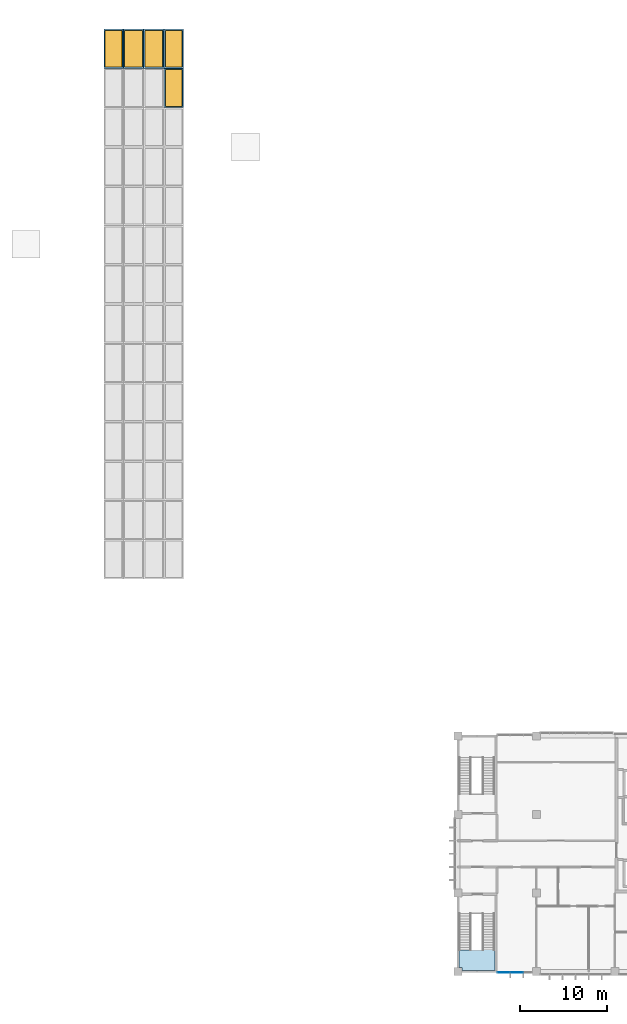
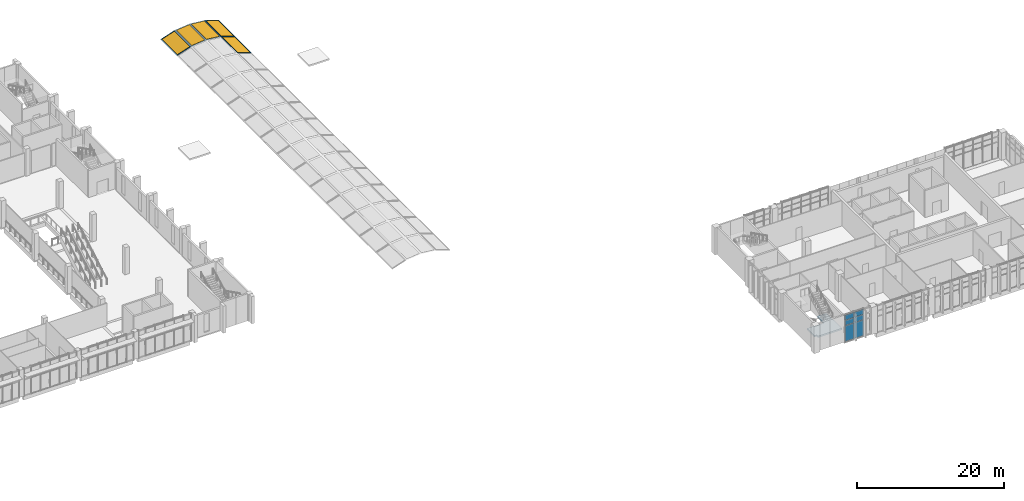
# One storey, part 22 of 45: 6 plates, 6 slabs, 5 windows, 5 openings, 2 elements without a shape of their own.
"""IFC4 building model written with IfcOpenShell, lengths in metres."""

import ifcopenshell
import ifcopenshell.guid

model = None  # the IFC model being written
_history = None  # IfcOwnerHistory: only IFC2X3 demands one
_inside = {}  # id of a spatial element -> (the spatial element, [elements in it])
_under = {}  # id of a project, library or spatial element -> (it, [spatial elements below it])
_declared = {}  # id of a project -> (the project, [libraries it declares])
_typed = {}  # id of a type object -> (the type object, [elements of that type])
_made_of = {}  # id of a material, layer set ... -> (it, [elements and type objects made of it])


def new_model(schema):
    """Start an empty IFC model of exactly this schema.

    Asked for "IFC4X3", IfcOpenShell would pick the latest addendum, in which some entities
    have other attributes; the version numbers below select the first issue.
    IFC2X3 requires an IfcOwnerHistory on every rooted entity: one is made here for all.
    """
    global model, _history
    if schema == "IFC4X3":
        model = ifcopenshell.file(schema_version=(4, 3, 0, 0))
    else:
        model = ifcopenshell.file(schema=schema)
    _inside.clear()
    _under.clear()
    _declared.clear()
    _typed.clear()
    _made_of.clear()
    _history = None
    if model.schema == "IFC2X3":
        org = make("IfcOrganization", Name="unknown")
        user = make(
            "IfcPersonAndOrganization",
            ThePerson=make("IfcPerson", FamilyName="unknown"),
            TheOrganization=org,
        )
        app = make(
            "IfcApplication",
            ApplicationDeveloper=org,
            Version="unknown",
            ApplicationFullName="unknown",
            ApplicationIdentifier="unknown",
        )
        _history = make(
            "IfcOwnerHistory",
            OwningUser=user,
            OwningApplication=app,
            ChangeAction="ADDED",
            CreationDate=0,
        )
    return model


def make(cls, **values):
    """One entity of the class cls with the attributes given. An attribute that is None is left unset."""
    return model.create_entity(
        cls, **{name: value for name, value in values.items() if value is not None}
    )


def rooted(cls, **values):
    """An entity with a GlobalId (a new one), such as an element, a storey or a relation."""
    return make(cls, GlobalId=ifcopenshell.guid.new(), OwnerHistory=_history, **values)


def si_unit(unit_type, name, prefix=None):
    """IfcSIUnit, for example si_unit("LENGTHUNIT", "METRE", prefix="MILLI")."""
    return make("IfcSIUnit", UnitType=unit_type, Prefix=prefix, Name=name)


def assignment(units):
    """IfcUnitAssignment: the units of a project."""
    return None if units is None else make("IfcUnitAssignment", Units=units)


def point(xyz):
    """IfcCartesianPoint."""
    return None if xyz is None else make("IfcCartesianPoint", Coordinates=xyz)


def direction(xyz):
    """IfcDirection."""
    return None if xyz is None else make("IfcDirection", DirectionRatios=xyz)


def frame(location, z_axis=None, x_axis=None):
    """IfcAxis2Placement3D, a coordinate frame: its origin and axes. An axis left out is left unset."""
    return make(
        "IfcAxis2Placement3D",
        Location=point(location),
        Axis=direction(z_axis),
        RefDirection=direction(x_axis),
    )


def frame_2d(location, x_axis=None):
    """IfcAxis2Placement2D, a coordinate frame in the plane: its origin and x axis."""
    return make(
        "IfcAxis2Placement2D", Location=point(location), RefDirection=direction(x_axis)
    )


def origin():
    """The frame at (0, 0, 0) with its axes left unset."""
    return frame((0.0, 0.0, 0.0))


def origin_2d():
    """The frame at (0, 0) in the plane with its x axis left unset."""
    return frame_2d((0.0, 0.0))


def place(relative_to, where):
    """IfcLocalPlacement: puts the frame where relative to a parent placement (None: the world)."""
    return make(
        "IfcLocalPlacement", PlacementRelTo=relative_to, RelativePlacement=where
    )


def context(
    kind, dimensions, precision=None, world=None, true_north=None, identifier=None
):
    """IfcGeometricRepresentationContext, for example the 3D "Model" context."""
    return make(
        "IfcGeometricRepresentationContext",
        ContextIdentifier=identifier,
        ContextType=kind,
        CoordinateSpaceDimension=dimensions,
        Precision=precision,
        WorldCoordinateSystem=world,
        TrueNorth=true_north,
    )


def subcontext(parent, identifier, kind, view, scale=None):
    """IfcGeometricRepresentationSubContext, for example "Body" below "Model"."""
    return make(
        "IfcGeometricRepresentationSubContext",
        ContextIdentifier=identifier,
        ContextType=kind,
        ParentContext=parent,
        TargetScale=scale,
        TargetView=view,
    )


def project(units=None, contexts=None):
    """IfcProject with its units and contexts."""
    return rooted(
        "IfcProject",
        Name="project",
        RepresentationContexts=contexts,
        UnitsInContext=assignment(units),
    )


def spatial(cls, under=None, at=None, **own):
    """A site, building, storey or space (cls), placed at a placement, below another one or the project."""
    s = rooted(cls, ObjectPlacement=at, **own)
    if under is not None:
        _under.setdefault(under.id(), (under, []))[1].append(s)
    return s


def polyline(points):
    """IfcPolyline through the points."""
    return make("IfcPolyline", Points=[point(p) for p in points])


def profile(cls, at=None, kind="AREA", **sizes):
    """A parametric profile (cls). Its sizes go by their IFC names, for example OverallWidth=200.0."""
    return make(cls, ProfileType=kind, Position=at, **sizes)


def rectangle(**sizes):
    """IfcRectangleProfileDef."""
    return profile("IfcRectangleProfileDef", **sizes)


def outline(outer, holes=None, kind="AREA"):
    """IfcArbitraryClosedProfileDef: a profile drawn as a closed curve; with holes, ...WithVoids."""
    if holes is None:
        return make("IfcArbitraryClosedProfileDef", ProfileType=kind, OuterCurve=outer)
    return make(
        "IfcArbitraryProfileDefWithVoids",
        ProfileType=kind,
        OuterCurve=outer,
        InnerCurves=holes,
    )


def extrude(swept, where, along, depth):
    """IfcExtrudedAreaSolid: the profile swept, set in the frame where, extruded along a direction by depth."""
    return make(
        "IfcExtrudedAreaSolid",
        SweptArea=swept,
        Position=where,
        ExtrudedDirection=direction(along),
        Depth=depth,
    )


def shape(context_of_items, identifier, shape_type, items):
    """IfcShapeRepresentation: the items that make up one representation, for example the "Body"."""
    return make(
        "IfcShapeRepresentation",
        ContextOfItems=context_of_items,
        RepresentationIdentifier=identifier,
        RepresentationType=shape_type,
        Items=items,
    )


def material(Name=None, Category=None):
    """IfcMaterial."""
    return make("IfcMaterial", Name=Name, Category=Category)


def layer(
    of_material, thickness, ventilated=None, Name=None, Category=None, Priority=None
):
    """IfcMaterialLayer: one layer of a wall or slab, of a material (None: an air gap)."""
    return make(
        "IfcMaterialLayer",
        Material=of_material,
        LayerThickness=thickness,
        IsVentilated=ventilated,
        Name=Name,
        Category=Category,
        Priority=Priority,
    )


def layer_set(layers, Name=None):
    """IfcMaterialLayerSet."""
    return make("IfcMaterialLayerSet", MaterialLayers=layers, LayerSetName=Name)


def made_of(thing, what):
    """Note that an element or type object is made of a material, layer set ...; save() writes the relation."""
    if what is not None:
        _made_of.setdefault(what.id(), (what, []))[1].append(thing)
    return thing


def type_object(cls, material=None, **own):
    """A type object (cls), such as IfcWallType, which elements share."""
    return made_of(rooted(cls, **own), material)


def element(
    cls,
    number,
    at=None,
    inside=None,
    cuts=None,
    type_object=None,
    material=None,
    context=None,
    identifier="Body",
    shape_type=None,
    held_by="IfcProductDefinitionShape",
    body=None,
    shapes=None,
    **own,
):
    """One element of the class cls, such as IfcWall. Its Tag is "e" and its number.

    at: its placement. inside: the storey or other place that contains it. cuts: it is an
    opening in that element (IfcRelVoidsElement). A single representation is given by context,
    identifier, shape_type and body (its items); several are given by shapes. held_by: the class
    of the entity that holds the representations. save() writes the other relations.
    """
    e = rooted(cls, Tag="e%d" % number, ObjectPlacement=at, **own)
    if body is not None:
        shapes = [shape(context, identifier, shape_type, body)]
    if shapes is not None:
        e.Representation = make(held_by, Representations=shapes)
    if inside is not None:
        _inside.setdefault(inside.id(), (inside, []))[1].append(e)
    if cuts is not None:
        rooted(
            "IfcRelVoidsElement", RelatingBuildingElement=cuts, RelatedOpeningElement=e
        )
    if type_object is not None:
        _typed.setdefault(type_object.id(), (type_object, []))[1].append(e)
    return made_of(e, material)


def fill(opening, filler):
    """IfcRelFillsElement: the door or window that sits in an opening."""
    return rooted(
        "IfcRelFillsElement",
        RelatingOpeningElement=opening,
        RelatedBuildingElement=filler,
    )


def aggregate(whole, parts):
    """IfcRelAggregates: a whole, such as a stair, and the parts it consists of."""
    return rooted("IfcRelAggregates", RelatingObject=whole, RelatedObjects=parts)


def save(model, path):
    """Write the relations noted so far, then the file.

    IfcRelAggregates (storeys below a building ...), IfcRelContainedInSpatialStructure (elements
    in a storey), IfcRelDefinesByType, IfcRelAssociatesMaterial and IfcRelDeclares: one each for
    every whole, place, type object, material and project.
    """
    for whole, parts in _under.values():
        aggregate(whole, parts)
    for where, things in _inside.values():
        rooted(
            "IfcRelContainedInSpatialStructure",
            RelatedElements=things,
            RelatingStructure=where,
        )
    for kind, things in _typed.values():
        rooted("IfcRelDefinesByType", RelatedObjects=things, RelatingType=kind)
    for what, things in _made_of.values():
        rooted("IfcRelAssociatesMaterial", RelatedObjects=things, RelatingMaterial=what)
    for by, libraries in _declared.values():
        rooted("IfcRelDeclares", RelatingContext=by, RelatedDefinitions=libraries)
    model.write(path)


model = new_model("IFC4")

# Units and contexts
model_context = context("Model", 3, precision=1e-05, world=origin(), true_north=direction((0.0, 1.0)))
body_context = subcontext(model_context, "Body", "Model", "MODEL_VIEW")
ifc_project = project(units=[si_unit("LENGTHUNIT", "METRE"), si_unit("AREAUNIT", "SQUARE_METRE"), si_unit("VOLUMEUNIT", "CUBIC_METRE"), si_unit("PLANEANGLEUNIT", "RADIAN"), si_unit("MASSUNIT", "GRAM", prefix="KILO")], contexts=[model_context])

# Site, building, storey
site_placement = place(None, origin())
site = spatial("IfcSite", under=ifc_project, at=site_placement, CompositionType="ELEMENT")
building_placement = place(site_placement, origin())
building = spatial("IfcBuilding", under=site, at=building_placement, Name="Guidao Yard Department Store", CompositionType="ELEMENT")
storey_placement = place(building_placement, frame((0.0, 0.0, 19.5)))
storey = spatial("IfcBuildingStorey", under=building, at=storey_placement, Name="L04", CompositionType="ELEMENT", Elevation=19.5)

# Slab, opening, window
ifc_material_1 = material(Name="Aluminium 6063-T5", Category="aluminium")
ifc_layer_1 = layer(ifc_material_1, 0.06005859375)
ifc_layer_set_1 = layer_set([ifc_layer_1], Name="Smoke vent frame SV2 aluminium")
slab_type_1 = type_object("IfcSlabType", Name="Smoke vent frame SV2 aluminium", PredefinedType="ROOF", material=ifc_layer_set_1)
slab_1_placement = place(storey_placement, frame((85.43310546875, 103.5, 0.541748046875), z_axis=(-0.314942635396, 0.0, 0.949110708195), x_axis=(0.949110708195, 0.0, 0.314942635396)))
slab_1 = element("IfcSlab", 1, at=slab_1_placement, inside=storey, type_object=slab_type_1, Name="Smoke vent frame C07-04B", PredefinedType="ROOF", context=body_context, shape_type="SweptSolid", body=[
    extrude(outline(polyline([(0.0, 0.0), (2.337200180755829, 0.0), (2.337200180755829, 4.5), (0.0, 4.5), (0.0, 0.0)])), origin(), (0.0, 0.0, -1.0), 0.06005859375),
])
opening_1_placement = place(slab_1_placement, frame((1.168701171875, 2.25, 0.0)))
opening_1 = element("IfcOpeningElement", 2, at=opening_1_placement, cuts=slab_1, Name="Opening SW-C07-04B", PredefinedType="OPENING", context=body_context, shape_type="SweptSolid", body=[
    extrude(rectangle(XDim=2.037353515625, YDim=4.199951171875, at=origin_2d()), frame((0.0, 0.0, 0.010009765625)), (0.0, 0.0, -1.0), 0.080078125),
])
ifc_material_2 = material(Name="Laminated glass in Aluminium 6063-T5 frame", Category="aluminium")
window_type = type_object("IfcWindowType", Name="Smoke vent SV2 operable skylight", PartitioningType="SINGLE_PANEL", PredefinedType="SKYLIGHT", material=ifc_material_2)
window_1_placement = place(opening_1_placement, frame((0.0, 0.0, -0.050048828125)))
window_1 = element("IfcWindow", 3, at=window_1_placement, inside=storey, type_object=window_type, Name="Smoke vent C07-04B", OverallHeight=4.199951171875, OverallWidth=2.037353515625, PartitioningType="SINGLE_PANEL", PredefinedType="SKYLIGHT", context=body_context, shape_type="SweptSolid", body=[
    extrude(rectangle(XDim=2.037353515625, YDim=4.199951171875, at=origin_2d()), origin(), (0.0, 0.0, 1.0), 0.050048828125),
])
fill(opening_1, window_1)

slab_2_placement = place(storey_placement, frame((87.6640625, 103.5, 1.280517578125), z_axis=(-0.106496330274, 0.0, 0.994313095377), x_axis=(0.994313095377, 0.0, 0.106496330274)))
slab_2 = element("IfcSlab", 4, at=slab_2_placement, inside=storey, type_object=slab_type_1, Name="Smoke vent frame C07-05B", PredefinedType="ROOF", context=body_context, shape_type="SweptSolid", body=[
    extrude(outline(polyline([(0.0, 0.0), (2.3429137709050942, 0.0), (2.3429137709050942, 4.5), (0.0, 4.5), (0.0, 0.0)])), origin(), (0.0, 0.0, -1.0), 0.06005859375),
])
opening_2_placement = place(slab_2_placement, frame((1.17138671875, 2.25, 0.0)))
opening_2 = element("IfcOpeningElement", 5, at=opening_2_placement, cuts=slab_2, Name="Opening SW-C07-05B", PredefinedType="OPENING", context=body_context, shape_type="SweptSolid", body=[
    extrude(rectangle(XDim=2.04296875, YDim=4.199951171875, at=origin_2d()), frame((0.0, 0.0, 0.010009765625)), (0.0, 0.0, -1.0), 0.080078125),
])
window_2_placement = place(opening_2_placement, frame((0.0, 0.0, -0.050048828125)))
window_2 = element("IfcWindow", 6, at=window_2_placement, inside=storey, type_object=window_type, Name="Smoke vent C07-05B", OverallHeight=4.199951171875, OverallWidth=2.04296875, PartitioningType="SINGLE_PANEL", PredefinedType="SKYLIGHT", context=body_context, shape_type="SweptSolid", body=[
    extrude(rectangle(XDim=2.04296875, YDim=4.199951171875, at=origin_2d()), origin(), (0.0, 0.0, 1.0), 0.050048828125),
])
fill(opening_2, window_2)

slab_3_placement = place(storey_placement, frame((90.00634765625, 103.5, 1.530029296875), z_axis=(0.106496330274, 0.0, 0.994313095377), x_axis=(0.994313095377, 0.0, -0.106496330274)))
slab_3 = element("IfcSlab", 7, at=slab_3_placement, inside=storey, type_object=slab_type_1, Name="Smoke vent frame C07-06B", PredefinedType="ROOF", context=body_context, shape_type="SweptSolid", body=[
    extrude(outline(polyline([(0.0, 0.0), (2.3429137709050942, 0.0), (2.3429137709050942, 4.5), (0.0, 4.5), (0.0, 0.0)])), origin(), (0.0, 0.0, -1.0), 0.06005859375),
])
opening_3_placement = place(slab_3_placement, frame((1.17138671875, 2.25, 0.0)))
opening_3 = element("IfcOpeningElement", 8, at=opening_3_placement, cuts=slab_3, Name="Opening SW-C07-06B", PredefinedType="OPENING", context=body_context, shape_type="SweptSolid", body=[
    extrude(rectangle(XDim=2.04296875, YDim=4.199951171875, at=origin_2d()), frame((0.0, 0.0, 0.010009765625)), (0.0, 0.0, -1.0), 0.080078125),
])
window_3_placement = place(opening_3_placement, frame((0.0, 0.0, -0.050048828125)))
window_3 = element("IfcWindow", 9, at=window_3_placement, inside=storey, type_object=window_type, Name="Smoke vent C07-06B", OverallHeight=4.199951171875, OverallWidth=2.04296875, PartitioningType="SINGLE_PANEL", PredefinedType="SKYLIGHT", context=body_context, shape_type="SweptSolid", body=[
    extrude(rectangle(XDim=2.04296875, YDim=4.199951171875, at=origin_2d()), origin(), (0.0, 0.0, 1.0), 0.050048828125),
])
fill(opening_3, window_3)

slab_4_placement = place(storey_placement, frame((92.3486328125, 99.0, 1.27783203125), z_axis=(0.314942635396, 0.0, 0.949110708195), x_axis=(0.949110708195, 0.0, -0.314942635396)))
slab_4 = element("IfcSlab", 10, at=slab_4_placement, inside=storey, type_object=slab_type_1, Name="Smoke vent frame C07-07A", PredefinedType="ROOF", context=body_context, shape_type="SweptSolid", body=[
    extrude(outline(polyline([(0.0, 0.0), (2.337200180755829, 0.0), (2.337200180755829, 4.5), (0.0, 4.5), (0.0, 0.0)])), origin(), (0.0, 0.0, -1.0), 0.06005859375),
])
opening_4_placement = place(slab_4_placement, frame((1.168701171875, 2.25, 0.0)))
opening_4 = element("IfcOpeningElement", 11, at=opening_4_placement, cuts=slab_4, Name="Opening SW-C07-07A", PredefinedType="OPENING", context=body_context, shape_type="SweptSolid", body=[
    extrude(rectangle(XDim=2.037353515625, YDim=4.199951171875, at=origin_2d()), frame((0.0, 0.0, 0.010009765625)), (0.0, 0.0, -1.0), 0.080078125),
])
window_4_placement = place(opening_4_placement, frame((0.0, 0.0, -0.050048828125)))
window_4 = element("IfcWindow", 12, at=window_4_placement, inside=storey, type_object=window_type, Name="Smoke vent C07-07A", OverallHeight=4.199951171875, OverallWidth=2.037353515625, PartitioningType="SINGLE_PANEL", PredefinedType="SKYLIGHT", context=body_context, shape_type="SweptSolid", body=[
    extrude(rectangle(XDim=2.037353515625, YDim=4.199951171875, at=origin_2d()), origin(), (0.0, 0.0, 1.0), 0.050048828125),
])
fill(opening_4, window_4)

slab_5_placement = place(storey_placement, frame((92.3486328125, 103.5, 1.27783203125), z_axis=(0.314942635396, 0.0, 0.949110708195), x_axis=(0.949110708195, 0.0, -0.314942635396)))
slab_5 = element("IfcSlab", 13, at=slab_5_placement, inside=storey, type_object=slab_type_1, Name="Smoke vent frame C07-07B", PredefinedType="ROOF", context=body_context, shape_type="SweptSolid", body=[
    extrude(outline(polyline([(0.0, 0.0), (2.337200180755829, 0.0), (2.337200180755829, 4.5), (0.0, 4.5), (0.0, 0.0)])), origin(), (0.0, 0.0, -1.0), 0.06005859375),
])
opening_5_placement = place(slab_5_placement, frame((1.168701171875, 2.25, 0.0)))
opening_5 = element("IfcOpeningElement", 14, at=opening_5_placement, cuts=slab_5, Name="Opening SW-C07-07B", PredefinedType="OPENING", context=body_context, shape_type="SweptSolid", body=[
    extrude(rectangle(XDim=2.037353515625, YDim=4.199951171875, at=origin_2d()), frame((0.0, 0.0, 0.010009765625)), (0.0, 0.0, -1.0), 0.080078125),
])
window_5_placement = place(opening_5_placement, frame((0.0, 0.0, -0.050048828125)))
window_5 = element("IfcWindow", 15, at=window_5_placement, inside=storey, type_object=window_type, Name="Smoke vent C07-07B", OverallHeight=4.199951171875, OverallWidth=2.037353515625, PartitioningType="SINGLE_PANEL", PredefinedType="SKYLIGHT", context=body_context, shape_type="SweptSolid", body=[
    extrude(rectangle(XDim=2.037353515625, YDim=4.199951171875, at=origin_2d()), origin(), (0.0, 0.0, 1.0), 0.050048828125),
])
fill(opening_5, window_5)

# Curtain wall, plates
ifc_material_3 = material(Name="Aluminium and glass", Category="aluminium")
ifc_layer_2 = layer(ifc_material_3, 0.159912109375)
ifc_layer_set_2 = layer_set([ifc_layer_2], Name="Unitised curtain wall CW4 1500 module")
curtain_wall_type = type_object("IfcCurtainWallType", Name="Unitised curtain wall CW4 1500 module", PredefinedType="NOTDEFINED", material=ifc_layer_set_2)
curtain_wall_placement = place(storey_placement, origin())
curtain_wall = element("IfcCurtainWall", 16, at=curtain_wall_placement, inside=storey, type_object=curtain_wall_type, Name="Unitised curtain wall", PredefinedType="NOTDEFINED")
ifc_material_4 = material(Name="Aluminium 6063-T5 faced insulated spandrel", Category="aluminium")
ifc_layer_3 = layer(ifc_material_4, 0.06005859375)
ifc_layer_set_3 = layer_set([ifc_layer_3], Name="Spandrel panel SP1 insulated opaque")
plate_type_1 = type_object("IfcPlateType", Name="Spandrel panel SP1 insulated opaque", PredefinedType="CURTAIN_PANEL", material=ifc_layer_set_3)
plate_1_placement = place(storey_placement, frame((131.264892578125, -0.10009765625, 3.6298828125), z_axis=(0.0, 0.0, 1.0), x_axis=(-1.0, 0.0, 0.0)))
plate_1 = element("IfcPlate", 17, at=plate_1_placement, type_object=plate_type_1, Name="CW-OW-L04-01 panel 1.3", PredefinedType="CURTAIN_PANEL", context=body_context, shape_type="SweptSolid", body=[
    extrude(rectangle(XDim=1.409912109375, YDim=0.06005859375, at=origin_2d()), origin(), (0.0, 0.0, 1.0), 0.81005859375),
])
plate_2_placement = place(storey_placement, frame((132.75, -0.10009765625, 3.6298828125), z_axis=(0.0, 0.0, 1.0), x_axis=(-1.0, 0.0, 0.0)))
plate_2 = element("IfcPlate", 18, at=plate_2_placement, type_object=plate_type_1, Name="CW-OW-L04-01 panel 2.3", PredefinedType="CURTAIN_PANEL", context=body_context, shape_type="SweptSolid", body=[
    extrude(rectangle(XDim=1.43994140625, YDim=0.06005859375, at=origin_2d()), origin(), (0.0, 0.0, 1.0), 0.81005859375),
])

# Stair, slab
ifc_material_5 = material(Name="Concrete C35", Category="concrete")
stair_type = type_object("IfcStairType", Name="Stair half-turn two-flight 1400 wide 4.5 m rise", PredefinedType="HALF_TURN_STAIR", material=ifc_material_5)
stair_placement = place(storey_placement, origin())
stair = element("IfcStair", 19, at=stair_placement, inside=storey, type_object=stair_type, Name="Stair O1 L04 to L05", PredefinedType="HALF_TURN_STAIR")
ifc_material_6 = material(Name="Concrete C35", Category="concrete")
ifc_layer_4 = layer(ifc_material_6, 0.25)
ifc_layer_set_4 = layer_set([ifc_layer_4], Name="Stair landing RC 250 C35")
slab_type_2 = type_object("IfcSlabType", Name="Stair landing RC 250 C35", PredefinedType="LANDING", material=ifc_layer_set_4)
slab_6_placement = place(storey_placement, frame((0.0, 0.0, 2.0)))
slab_6 = element("IfcSlab", 20, at=slab_6_placement, type_object=slab_type_2, Name="SO1-L04 landing 1", PredefinedType="LANDING", context=body_context, shape_type="SweptSolid", body=[
    extrude(outline(polyline([(126.449951171875, 0.125), (126.449951171875, 0.449951171875), (126.125, 0.449951171875), (126.125, 2.449951171875), (126.125, 2.4599609375), (127.52490234375, 2.4599609375), (127.52490234375, 2.449951171875), (128.800048828125, 2.449951171875), (128.800048828125, 4.280029296875), (130.199951171875, 4.280029296875), (130.199951171875, 2.449951171875), (130.25, 2.449951171875), (130.25, 0.125), (126.449951171875, 0.125)])), origin(), (0.0, 0.0, 1.0), 0.25),
])
aggregate(stair, [slab_6])

# Plate
ifc_material_7 = material(Name="Laminated heat-soaked tempered glass", Category="glass")
ifc_layer_5 = layer(ifc_material_7, 0.017578125)
ifc_layer_set_5 = layer_set([ifc_layer_5], Name="Vision glass VG1 laminated heat-soaked tempered 8+8")
plate_type_2 = type_object("IfcPlateType", Name="Vision glass VG1 laminated heat-soaked tempered 8+8", PredefinedType="CURTAIN_PANEL", material=ifc_layer_set_5)
plate_3_placement = place(storey_placement, frame((131.264892578125, -0.10009765625, 0.06005859375), z_axis=(0.0, 0.0, 1.0), x_axis=(-1.0, 0.0, 0.0)))
plate_3 = element("IfcPlate", 21, at=plate_3_placement, type_object=plate_type_2, Name="CW-OW-L04-01 panel 1.1", PredefinedType="CURTAIN_PANEL", context=body_context, shape_type="SweptSolid", body=[
    extrude(rectangle(XDim=1.409912109375, YDim=0.017578125, at=origin_2d()), origin(), (0.0, 0.0, 1.0), 2.610107421875),
])

plate_4_placement = place(storey_placement, frame((131.264892578125, -0.10009765625, 2.72998046875), z_axis=(0.0, 0.0, 1.0), x_axis=(-1.0, 0.0, 0.0)))
plate_4 = element("IfcPlate", 22, at=plate_4_placement, type_object=plate_type_2, Name="CW-OW-L04-01 panel 1.2", PredefinedType="CURTAIN_PANEL", context=body_context, shape_type="SweptSolid", body=[
    extrude(rectangle(XDim=1.409912109375, YDim=0.017578125, at=origin_2d()), origin(), (0.0, 0.0, 1.0), 0.840087890625),
])

plate_5_placement = place(storey_placement, frame((132.75, -0.10009765625, 0.06005859375), z_axis=(0.0, 0.0, 1.0), x_axis=(-1.0, 0.0, 0.0)))
plate_5 = element("IfcPlate", 23, at=plate_5_placement, type_object=plate_type_2, Name="CW-OW-L04-01 panel 2.1", PredefinedType="CURTAIN_PANEL", context=body_context, shape_type="SweptSolid", body=[
    extrude(rectangle(XDim=1.43994140625, YDim=0.017578125, at=origin_2d()), origin(), (0.0, 0.0, 1.0), 2.610107421875),
])

plate_6_placement = place(storey_placement, frame((132.75, -0.10009765625, 2.72998046875), z_axis=(0.0, 0.0, 1.0), x_axis=(-1.0, 0.0, 0.0)))
plate_6 = element("IfcPlate", 24, at=plate_6_placement, type_object=plate_type_2, Name="CW-OW-L04-01 panel 2.2", PredefinedType="CURTAIN_PANEL", context=body_context, shape_type="SweptSolid", body=[
    extrude(rectangle(XDim=1.43994140625, YDim=0.017578125, at=origin_2d()), origin(), (0.0, 0.0, 1.0), 0.840087890625),
])

aggregate(curtain_wall, [plate_3, plate_4, plate_1, plate_5, plate_6, plate_2])

save(model, "model.ifc")
